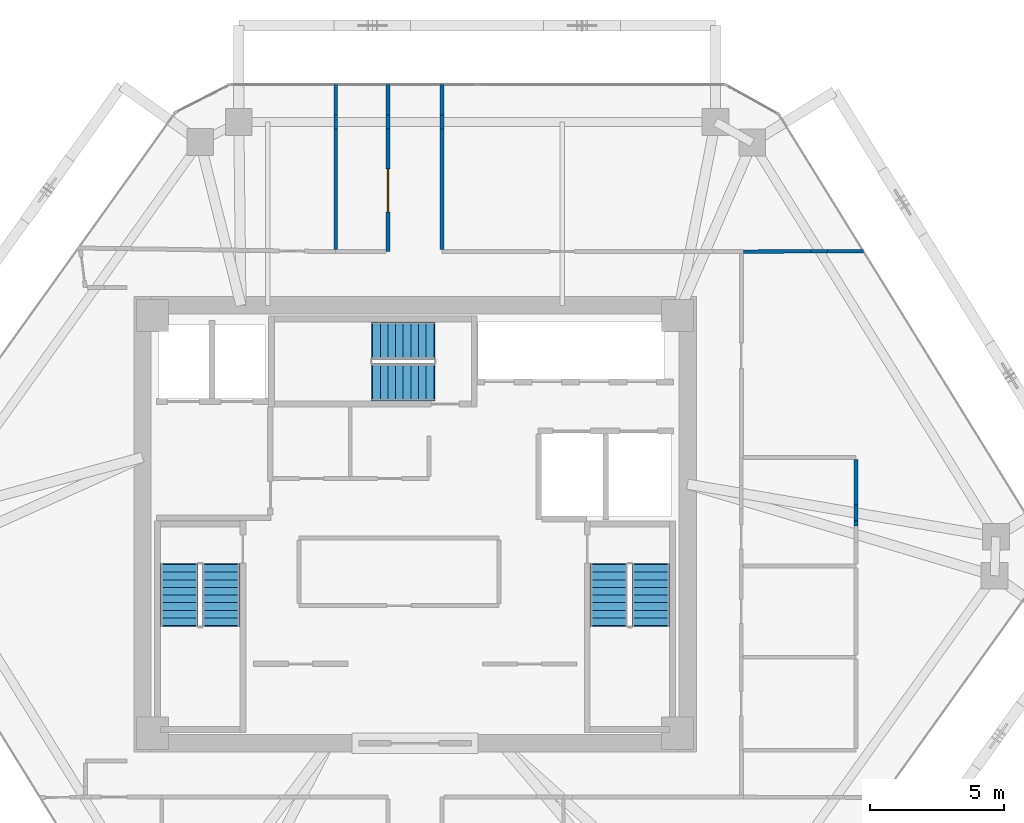
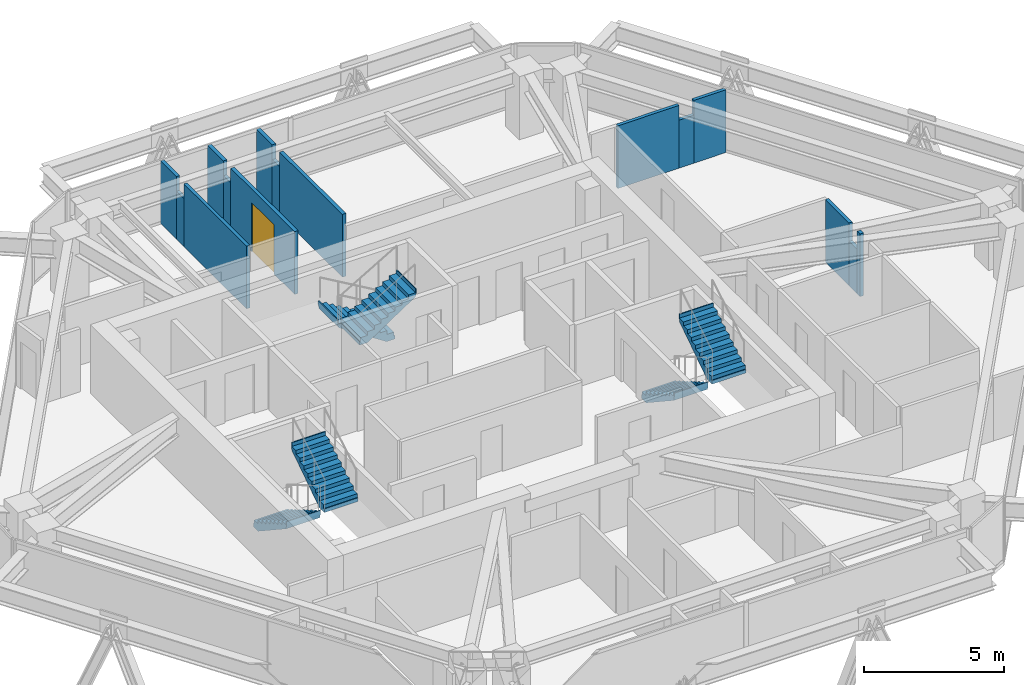
# One storey, part 13 of 14: 15 walls, 6 stair flights, 1 door, 1 opening, 3 elements without a shape of their own.
"""IFC4 building model written with IfcOpenShell, lengths in metres."""

import ifcopenshell
import ifcopenshell.guid

model = None  # the IFC model being written
_history = None  # IfcOwnerHistory: only IFC2X3 demands one
_inside = {}  # id of a spatial element -> (the spatial element, [elements in it])
_under = {}  # id of a project, library or spatial element -> (it, [spatial elements below it])
_declared = {}  # id of a project -> (the project, [libraries it declares])
_typed = {}  # id of a type object -> (the type object, [elements of that type])
_made_of = {}  # id of a material, layer set ... -> (it, [elements and type objects made of it])


def new_model(schema):
    """Start an empty IFC model of exactly this schema.

    Asked for "IFC4X3", IfcOpenShell would pick the latest addendum, in which some entities
    have other attributes; the version numbers below select the first issue.
    IFC2X3 requires an IfcOwnerHistory on every rooted entity: one is made here for all.
    """
    global model, _history
    if schema == "IFC4X3":
        model = ifcopenshell.file(schema_version=(4, 3, 0, 0))
    else:
        model = ifcopenshell.file(schema=schema)
    _inside.clear()
    _under.clear()
    _declared.clear()
    _typed.clear()
    _made_of.clear()
    _history = None
    if model.schema == "IFC2X3":
        org = make("IfcOrganization", Name="unknown")
        user = make(
            "IfcPersonAndOrganization",
            ThePerson=make("IfcPerson", FamilyName="unknown"),
            TheOrganization=org,
        )
        app = make(
            "IfcApplication",
            ApplicationDeveloper=org,
            Version="unknown",
            ApplicationFullName="unknown",
            ApplicationIdentifier="unknown",
        )
        _history = make(
            "IfcOwnerHistory",
            OwningUser=user,
            OwningApplication=app,
            ChangeAction="ADDED",
            CreationDate=0,
        )
    return model


def make(cls, **values):
    """One entity of the class cls with the attributes given. An attribute that is None is left unset."""
    return model.create_entity(
        cls, **{name: value for name, value in values.items() if value is not None}
    )


def rooted(cls, **values):
    """An entity with a GlobalId (a new one), such as an element, a storey or a relation."""
    return make(cls, GlobalId=ifcopenshell.guid.new(), OwnerHistory=_history, **values)


def si_unit(unit_type, name, prefix=None):
    """IfcSIUnit, for example si_unit("LENGTHUNIT", "METRE", prefix="MILLI")."""
    return make("IfcSIUnit", UnitType=unit_type, Prefix=prefix, Name=name)


def assignment(units):
    """IfcUnitAssignment: the units of a project."""
    return None if units is None else make("IfcUnitAssignment", Units=units)


def point(xyz):
    """IfcCartesianPoint."""
    return None if xyz is None else make("IfcCartesianPoint", Coordinates=xyz)


def direction(xyz):
    """IfcDirection."""
    return None if xyz is None else make("IfcDirection", DirectionRatios=xyz)


def frame(location, z_axis=None, x_axis=None):
    """IfcAxis2Placement3D, a coordinate frame: its origin and axes. An axis left out is left unset."""
    return make(
        "IfcAxis2Placement3D",
        Location=point(location),
        Axis=direction(z_axis),
        RefDirection=direction(x_axis),
    )


def frame_2d(location, x_axis=None):
    """IfcAxis2Placement2D, a coordinate frame in the plane: its origin and x axis."""
    return make(
        "IfcAxis2Placement2D", Location=point(location), RefDirection=direction(x_axis)
    )


def origin():
    """The frame at (0, 0, 0) with its axes left unset."""
    return frame((0.0, 0.0, 0.0))


def place(relative_to, where):
    """IfcLocalPlacement: puts the frame where relative to a parent placement (None: the world)."""
    return make(
        "IfcLocalPlacement", PlacementRelTo=relative_to, RelativePlacement=where
    )


def context(
    kind, dimensions, precision=None, world=None, true_north=None, identifier=None
):
    """IfcGeometricRepresentationContext, for example the 3D "Model" context."""
    return make(
        "IfcGeometricRepresentationContext",
        ContextIdentifier=identifier,
        ContextType=kind,
        CoordinateSpaceDimension=dimensions,
        Precision=precision,
        WorldCoordinateSystem=world,
        TrueNorth=true_north,
    )


def subcontext(parent, identifier, kind, view, scale=None):
    """IfcGeometricRepresentationSubContext, for example "Body" below "Model"."""
    return make(
        "IfcGeometricRepresentationSubContext",
        ContextIdentifier=identifier,
        ContextType=kind,
        ParentContext=parent,
        TargetScale=scale,
        TargetView=view,
    )


def project(units=None, contexts=None):
    """IfcProject with its units and contexts."""
    return rooted(
        "IfcProject",
        Name="project",
        RepresentationContexts=contexts,
        UnitsInContext=assignment(units),
    )


def spatial(cls, under=None, at=None, **own):
    """A site, building, storey or space (cls), placed at a placement, below another one or the project."""
    s = rooted(cls, ObjectPlacement=at, **own)
    if under is not None:
        _under.setdefault(under.id(), (under, []))[1].append(s)
    return s


def polyline(points):
    """IfcPolyline through the points."""
    return make("IfcPolyline", Points=[point(p) for p in points])


def profile(cls, at=None, kind="AREA", **sizes):
    """A parametric profile (cls). Its sizes go by their IFC names, for example OverallWidth=200.0."""
    return make(cls, ProfileType=kind, Position=at, **sizes)


def rectangle(**sizes):
    """IfcRectangleProfileDef."""
    return profile("IfcRectangleProfileDef", **sizes)


def outline(outer, holes=None, kind="AREA"):
    """IfcArbitraryClosedProfileDef: a profile drawn as a closed curve; with holes, ...WithVoids."""
    if holes is None:
        return make("IfcArbitraryClosedProfileDef", ProfileType=kind, OuterCurve=outer)
    return make(
        "IfcArbitraryProfileDefWithVoids",
        ProfileType=kind,
        OuterCurve=outer,
        InnerCurves=holes,
    )


def extrude(swept, where, along, depth):
    """IfcExtrudedAreaSolid: the profile swept, set in the frame where, extruded along a direction by depth."""
    return make(
        "IfcExtrudedAreaSolid",
        SweptArea=swept,
        Position=where,
        ExtrudedDirection=direction(along),
        Depth=depth,
    )


def shape(context_of_items, identifier, shape_type, items):
    """IfcShapeRepresentation: the items that make up one representation, for example the "Body"."""
    return make(
        "IfcShapeRepresentation",
        ContextOfItems=context_of_items,
        RepresentationIdentifier=identifier,
        RepresentationType=shape_type,
        Items=items,
    )


def source(mapping_origin, context_of_items, identifier, shape_type, items):
    """IfcRepresentationMap: a shape defined once, which mapped items show again and again."""
    return make(
        "IfcRepresentationMap",
        MappingOrigin=mapping_origin,
        MappedRepresentation=shape(context_of_items, identifier, shape_type, items),
    )


def transform(
    local_origin,
    x_axis=None,
    y_axis=None,
    z_axis=None,
    scale=None,
    scale2=None,
    scale3=None,
    uniform=True,
):
    """IfcCartesianTransformationOperator3D, or its non-uniform kind. x_axis, y_axis, z_axis: its Axis1, 2, 3."""
    if uniform:
        return make(
            "IfcCartesianTransformationOperator3D",
            Axis1=direction(x_axis),
            Axis2=direction(y_axis),
            LocalOrigin=point(local_origin),
            Scale=scale,
            Axis3=direction(z_axis),
        )
    return make(
        "IfcCartesianTransformationOperator3DnonUniform",
        Axis1=direction(x_axis),
        Axis2=direction(y_axis),
        LocalOrigin=point(local_origin),
        Scale=scale,
        Axis3=direction(z_axis),
        Scale2=scale2,
        Scale3=scale3,
    )


def mapped(mapping_source, mapping_target):
    """IfcMappedItem: shows the shape of a source again, moved by a transform."""
    return make(
        "IfcMappedItem", MappingSource=mapping_source, MappingTarget=mapping_target
    )


def material(Name=None, Category=None):
    """IfcMaterial."""
    return make("IfcMaterial", Name=Name, Category=Category)


def layer(
    of_material, thickness, ventilated=None, Name=None, Category=None, Priority=None
):
    """IfcMaterialLayer: one layer of a wall or slab, of a material (None: an air gap)."""
    return make(
        "IfcMaterialLayer",
        Material=of_material,
        LayerThickness=thickness,
        IsVentilated=ventilated,
        Name=Name,
        Category=Category,
        Priority=Priority,
    )


def layer_set(layers, Name=None):
    """IfcMaterialLayerSet."""
    return make("IfcMaterialLayerSet", MaterialLayers=layers, LayerSetName=Name)


def made_of(thing, what):
    """Note that an element or type object is made of a material, layer set ...; save() writes the relation."""
    if what is not None:
        _made_of.setdefault(what.id(), (what, []))[1].append(thing)
    return thing


def type_object(cls, material=None, **own):
    """A type object (cls), such as IfcWallType, which elements share."""
    return made_of(rooted(cls, **own), material)


def type_shapes(of_type, sources):
    """Give a type object the sources (RepresentationMaps) that its elements show as mapped items."""
    of_type.RepresentationMaps = sources


def element(
    cls,
    number,
    at=None,
    inside=None,
    cuts=None,
    type_object=None,
    material=None,
    context=None,
    identifier="Body",
    shape_type=None,
    held_by="IfcProductDefinitionShape",
    body=None,
    shapes=None,
    **own,
):
    """One element of the class cls, such as IfcWall. Its Tag is "e" and its number.

    at: its placement. inside: the storey or other place that contains it. cuts: it is an
    opening in that element (IfcRelVoidsElement). A single representation is given by context,
    identifier, shape_type and body (its items); several are given by shapes. held_by: the class
    of the entity that holds the representations. save() writes the other relations.
    """
    e = rooted(cls, Tag="e%d" % number, ObjectPlacement=at, **own)
    if body is not None:
        shapes = [shape(context, identifier, shape_type, body)]
    if shapes is not None:
        e.Representation = make(held_by, Representations=shapes)
    if inside is not None:
        _inside.setdefault(inside.id(), (inside, []))[1].append(e)
    if cuts is not None:
        rooted(
            "IfcRelVoidsElement", RelatingBuildingElement=cuts, RelatedOpeningElement=e
        )
    if type_object is not None:
        _typed.setdefault(type_object.id(), (type_object, []))[1].append(e)
    return made_of(e, material)


def fill(opening, filler):
    """IfcRelFillsElement: the door or window that sits in an opening."""
    return rooted(
        "IfcRelFillsElement",
        RelatingOpeningElement=opening,
        RelatedBuildingElement=filler,
    )


def aggregate(whole, parts):
    """IfcRelAggregates: a whole, such as a stair, and the parts it consists of."""
    return rooted("IfcRelAggregates", RelatingObject=whole, RelatedObjects=parts)


def save(model, path):
    """Write the relations noted so far, then the file.

    IfcRelAggregates (storeys below a building ...), IfcRelContainedInSpatialStructure (elements
    in a storey), IfcRelDefinesByType, IfcRelAssociatesMaterial and IfcRelDeclares: one each for
    every whole, place, type object, material and project.
    """
    for whole, parts in _under.values():
        aggregate(whole, parts)
    for where, things in _inside.values():
        rooted(
            "IfcRelContainedInSpatialStructure",
            RelatedElements=things,
            RelatingStructure=where,
        )
    for kind, things in _typed.values():
        rooted("IfcRelDefinesByType", RelatedObjects=things, RelatingType=kind)
    for what, things in _made_of.values():
        rooted("IfcRelAssociatesMaterial", RelatedObjects=things, RelatingMaterial=what)
    for by, libraries in _declared.values():
        rooted("IfcRelDeclares", RelatingContext=by, RelatedDefinitions=libraries)
    model.write(path)


model = new_model("IFC4")

# Units and contexts
model_context = context("Model", 3, precision=1e-05, world=origin(), true_north=direction((0.0, 1.0)))
body_context = subcontext(model_context, "Body", "Model", "MODEL_VIEW")
ifc_project = project(units=[si_unit("LENGTHUNIT", "METRE"), si_unit("AREAUNIT", "SQUARE_METRE"), si_unit("VOLUMEUNIT", "CUBIC_METRE"), si_unit("PLANEANGLEUNIT", "RADIAN"), si_unit("MASSUNIT", "GRAM", prefix="KILO")], contexts=[model_context])

# Site, building, storey
site_placement = place(None, origin())
site = spatial("IfcSite", under=ifc_project, at=site_placement, CompositionType="ELEMENT")
building_placement = place(site_placement, origin())
building = spatial("IfcBuilding", under=site, at=building_placement, Name="Durnholm Broadcast Tower", CompositionType="ELEMENT")
storey_placement = place(building_placement, frame((0.0, 0.0, 200.199951171875)))
storey = spatial("IfcBuildingStorey", under=building, at=storey_placement, Name="L55", CompositionType="ELEMENT", Elevation=200.199951171875)

# Walls
ifc_material_1 = material(Name="Gypsum Metal Stud Partition", Category="concrete")
ifc_layer_1 = layer(ifc_material_1, 0.135009765625)
ifc_layer_set_1 = layer_set([ifc_layer_1], Name="Gypsum Metal Stud Partition")
wall_type_1 = type_object("IfcWallType", Name="WALL-PART-135", PredefinedType="PARTITIONING", material=ifc_layer_set_1)
wall_1_placement = place(storey_placement, frame((-2.9599609375, 16.41796875, 0.0), z_axis=(0.0, 0.0, 1.0), x_axis=(0.0, -1.0, 0.0)))
element("IfcWall", 1, at=wall_1_placement, inside=storey, type_object=wall_type_1, Name="L55 room dividing partition 9.10", PredefinedType="PARTITIONING", context=body_context, shape_type="SweptSolid", body=[
    extrude(rectangle(XDim=1.137451171875, YDim=0.135009765625, at=frame_2d((0.56884765625, 0.0))), origin(), (0.0, 0.0, 1.0), 2.7451171875),
])
wall_2_placement = place(storey_placement, frame((-2.9599609375, 14.75537109375, 0.0), z_axis=(0.0, 0.0, 1.0), x_axis=(0.0, -1.0, 0.0)))
element("IfcWall", 2, at=wall_2_placement, inside=storey, type_object=wall_type_1, Name="L55 room dividing partition 9.10", PredefinedType="PARTITIONING", context=body_context, shape_type="SweptSolid", body=[
    extrude(rectangle(XDim=4.496337890625, YDim=0.135009765625, at=frame_2d((2.248046875, 0.0))), origin(), (0.0, 0.0, 1.0), 2.7451171875),
])
wall_3_placement = place(storey_placement, frame((-2.9599609375, 15.280517578125, 0.0), z_axis=(0.0, 0.0, 1.0), x_axis=(0.0, -1.0, 0.0)))
element("IfcWall", 3, at=wall_3_placement, inside=storey, type_object=wall_type_1, Name="L55 room dividing partition 9.10", PredefinedType="PARTITIONING", context=body_context, shape_type="SweptSolid", body=[
    extrude(rectangle(XDim=0.525146484375, YDim=0.135009765625, at=frame_2d((0.2626953125, 0.0))), origin(), (0.0, 0.0, 1.0), 2.098876953125),
])
wall_4_placement = place(storey_placement, frame((16.739990234375, 10.200927734375, 0.0), z_axis=(0.0, 0.0, 1.0), x_axis=(-0.999989521507, -0.004577868163, 0.0)))
element("IfcWall", 4, at=wall_4_placement, inside=storey, type_object=wall_type_1, Name="L55 room dividing partition 11.18", PredefinedType="PARTITIONING", context=body_context, shape_type="SweptSolid", body=[
    extrude(rectangle(XDim=1.333251953125, YDim=0.135009765625, at=frame_2d((0.66650390625, 0.0))), origin(), (0.0, 0.0, 1.0), 2.7451171875),
])
wall_5_placement = place(storey_placement, frame((14.791259765625, 10.19189453125, 0.0), z_axis=(0.0, 0.0, 1.0), x_axis=(-0.999989725302, -0.004533132435, 0.0)))
element("IfcWall", 5, at=wall_5_placement, inside=storey, type_object=wall_type_1, Name="L55 room dividing partition 11.18", PredefinedType="PARTITIONING", context=body_context, shape_type="SweptSolid", body=[
    extrude(rectangle(XDim=2.53125, YDim=0.135009765625, at=frame_2d((1.265625, 0.0))), origin(), (0.0, 0.0, 1.0), 2.7451171875),
])
wall_6_placement = place(storey_placement, frame((15.40673828125, 10.19482421875, 0.0), z_axis=(0.0, 0.0, 1.0), x_axis=(-0.999988671317, -0.004759961942, 0.0)))
element("IfcWall", 6, at=wall_6_placement, inside=storey, type_object=wall_type_1, Name="L55 room dividing partition 11.18", PredefinedType="PARTITIONING", context=body_context, shape_type="SweptSolid", body=[
    extrude(rectangle(XDim=0.615478515625, YDim=0.135009765625, at=frame_2d((0.3076171875, 0.0))), origin(), (0.0, 0.0, 1.0), 2.098876953125),
])
ifc_material_2 = material(Name="Acoustic Gypsum Stud Partition", Category="concrete")
ifc_layer_2 = layer(ifc_material_2, 0.14990234375)
ifc_layer_set_2 = layer_set([ifc_layer_2], Name="Acoustic Gypsum Stud Partition")
wall_type_2 = type_object("IfcWallType", Name="WALL-PART-150", PredefinedType="PARTITIONING", material=ifc_layer_set_2)
wall_7_placement = place(storey_placement, frame((-1.010009765625, 16.41796875, 0.0), z_axis=(0.0, 0.0, 1.0), x_axis=(0.0, -1.0, 0.0)))
element("IfcWall", 7, at=wall_7_placement, inside=storey, type_object=wall_type_2, Name="L55 Investor Briefing Auditorium corridor partition", PredefinedType="PARTITIONING", context=body_context, shape_type="SweptSolid", body=[
    extrude(rectangle(XDim=1.137451171875, YDim=0.14990234375, at=frame_2d((0.56884765625, 0.0))), origin(), (0.0, 0.0, 1.0), 2.7451171875),
])

# Wall, opening, door
wall_8_placement = place(storey_placement, frame((-1.010009765625, 14.75537109375, 0.0), z_axis=(0.0, 0.0, 1.0), x_axis=(0.0, -1.0, 0.0)))
wall_8 = element("IfcWall", 8, at=wall_8_placement, inside=storey, type_object=wall_type_2, Name="L55 Investor Briefing Auditorium corridor partition", PredefinedType="PARTITIONING", context=body_context, shape_type="SweptSolid", body=[
    extrude(rectangle(XDim=4.575439453125, YDim=0.14990234375, at=frame_2d((2.28759765625, 0.0))), origin(), (0.0, 0.0, 1.0), 2.7451171875),
])
opening_placement = place(wall_8_placement, frame((1.48779296875, 0.0, 0.0)))
opening = element("IfcOpeningElement", 9, at=opening_placement, cuts=wall_8, Name="Opening DST-160", PredefinedType="OPENING", context=body_context, shape_type="SweptSolid", body=[
    extrude(rectangle(XDim=1.60009765625, YDim=2.14990234375, at=frame_2d((0.800048828125, 1.074951171875))), frame((0.0, 0.0849609375, 0.0), z_axis=(0.0, -1.0, 0.0), x_axis=(1.0, 0.0, 0.0)), (0.0, 0.0, 1.0), 0.169921875),
])
ifc_material_3 = material(Name="Acoustic Broadcast Studio Sound-Lock Door", Category="steel")
ifc_layer_3 = layer(ifc_material_3, 0.050048828125)
ifc_layer_set_3 = layer_set([ifc_layer_3], Name="Acoustic Broadcast Studio Sound-Lock Door")
door_type = type_object("IfcDoorType", Name="DOOR-STU-1600", OperationType="DOUBLE_DOOR_SINGLE_SWING", PredefinedType="DOOR", material=ifc_layer_set_3)
shared_shape = source(origin(), body_context, "Body", "SweptSolid", [
    extrude(rectangle(XDim=1.60009765625, YDim=2.14990234375, at=frame_2d((0.800048828125, 1.074951171875))), frame((0.0, 0.02490234375, 0.0), z_axis=(0.0, -1.0, 0.0), x_axis=(1.0, 0.0, 0.0)), (0.0, 0.0, 1.0), 0.050048828125),
])
type_shapes(door_type, [shared_shape])
door_placement = place(opening_placement, origin())
door = element("IfcDoor", 10, at=door_placement, inside=storey, type_object=door_type, Name="L55 Investor Briefing Auditorium entrance door", OperationType="DOUBLE_DOOR_SINGLE_SWING", OverallHeight=2.14990234375, OverallWidth=1.60009765625, PredefinedType="DOOR", context=body_context, shape_type="MappedRepresentation", body=[
    mapped(shared_shape, transform((0.0, 0.0, 0.0), x_axis=(1.0, 0.0, 0.0), y_axis=(0.0, 1.0, 0.0), z_axis=(0.0, 0.0, 1.0), scale=1.0)),
])
fill(opening, door)

# Walls
wall_9_placement = place(storey_placement, frame((-1.010009765625, 15.280517578125, 0.0), z_axis=(0.0, 0.0, 1.0), x_axis=(0.0, -1.0, 0.0)))
element("IfcWall", 11, at=wall_9_placement, inside=storey, type_object=wall_type_2, Name="L55 Investor Briefing Auditorium corridor partition", PredefinedType="PARTITIONING", context=body_context, shape_type="SweptSolid", body=[
    extrude(rectangle(XDim=0.525146484375, YDim=0.14990234375, at=frame_2d((0.2626953125, 0.0))), origin(), (0.0, 0.0, 1.0), 2.098876953125),
])
wall_10_placement = place(storey_placement, frame((1.010009765625, 10.259033203125, 0.0), z_axis=(0.0, 0.0, 1.0), x_axis=(0.0, 1.0, 0.0)))
element("IfcWall", 12, at=wall_10_placement, inside=storey, type_object=wall_type_2, Name="L55 Treasury Dining Room corridor partition", PredefinedType="PARTITIONING", context=body_context, shape_type="SweptSolid", body=[
    extrude(rectangle(XDim=4.496337890625, YDim=0.14990234375, at=frame_2d((2.248046875, 0.0))), origin(), (0.0, 0.0, 1.0), 2.7451171875),
])
wall_11_placement = place(storey_placement, frame((1.010009765625, 15.280517578125, 0.0), z_axis=(0.0, 0.0, 1.0), x_axis=(0.0, 1.0, 0.0)))
element("IfcWall", 13, at=wall_11_placement, inside=storey, type_object=wall_type_2, Name="L55 Treasury Dining Room corridor partition", PredefinedType="PARTITIONING", context=body_context, shape_type="SweptSolid", body=[
    extrude(rectangle(XDim=1.137451171875, YDim=0.14990234375, at=frame_2d((0.56884765625, 0.0))), origin(), (0.0, 0.0, 1.0), 2.7451171875),
])
wall_12_placement = place(storey_placement, frame((1.010009765625, 14.75537109375, 0.0), z_axis=(0.0, 0.0, 1.0), x_axis=(0.0, 1.0, 0.0)))
element("IfcWall", 14, at=wall_12_placement, inside=storey, type_object=wall_type_2, Name="L55 Treasury Dining Room corridor partition", PredefinedType="PARTITIONING", context=body_context, shape_type="SweptSolid", body=[
    extrude(rectangle(XDim=0.525146484375, YDim=0.14990234375, at=frame_2d((0.2626953125, 0.0))), origin(), (0.0, 0.0, 1.0), 2.098876953125),
])
ifc_material_4 = material(Name="Moisture-Resistant Tile Partition", Category="concrete")
ifc_layer_4 = layer(ifc_material_4, 0.139892578125)
ifc_layer_set_4 = layer_set([ifc_layer_4], Name="Moisture-Resistant Tile Partition")
wall_type_3 = type_object("IfcWallType", Name="WALL-WC-140", PredefinedType="PARTITIONING", material=ifc_layer_set_4)
wall_13_placement = place(storey_placement, frame((16.4599609375, 2.416015625, 0.0), z_axis=(0.0, 0.0, 1.0), x_axis=(0.0, -1.0, 0.0)))
element("IfcWall", 15, at=wall_13_placement, inside=storey, type_object=wall_type_3, Name="L55 room dividing partition 8.18", PredefinedType="PARTITIONING", context=body_context, shape_type="SweptSolid", body=[
    extrude(rectangle(XDim=1.695556640625, YDim=0.139892578125, at=frame_2d((0.84765625, 0.0))), origin(), (0.0, 0.0, 1.0), 2.7451171875),
])
wall_14_placement = place(storey_placement, frame((16.4599609375, 0.13134765625, 0.0), z_axis=(0.0, 0.0, 1.0), x_axis=(0.0, -1.0, 0.0)))
element("IfcWall", 16, at=wall_14_placement, inside=storey, type_object=wall_type_3, Name="L55 room dividing partition 8.18", PredefinedType="PARTITIONING", context=body_context, shape_type="SweptSolid", body=[
    extrude(rectangle(XDim=0.203369140625, YDim=0.139892578125, at=frame_2d((0.1015625, 0.0))), origin(), (0.0, 0.0, 1.0), 2.7451171875),
])
wall_15_placement = place(storey_placement, frame((16.4599609375, 0.720458984375, 0.0), z_axis=(0.0, 0.0, 1.0), x_axis=(0.0, -1.0, 0.0)))
element("IfcWall", 17, at=wall_15_placement, inside=storey, type_object=wall_type_3, Name="L55 room dividing partition 8.18", PredefinedType="PARTITIONING", context=body_context, shape_type="SweptSolid", body=[
    extrude(rectangle(XDim=0.589111328125, YDim=0.139892578125, at=frame_2d((0.29443359375, 0.0))), origin(), (0.0, 0.0, 1.0), 1.94189453125),
])

# Stair, stair flights
ifc_material_5 = material(Name="Concrete C50/60", Category="concrete")
stair_type = type_object("IfcStairType", Name="STAIR-DL-18R1667", PredefinedType="HALF_TURN_STAIR", material=ifc_material_5)
stair_1_placement = place(storey_placement, origin())
stair_1 = element("IfcStair", 18, at=stair_1_placement, inside=storey, type_object=stair_type, Name="L55 ST-1", PredefinedType="HALF_TURN_STAIR")
stair_flight_type = type_object("IfcStairFlightType", Name="FLIGHT-DL-18R1667", PredefinedType="STRAIGHT", material=ifc_material_5)
stair_flight_1_placement = place(storey_placement, frame((-8.800048828125, -1.5, 0.0), z_axis=(0.0, 0.0, 1.0), x_axis=(0.0, -1.0, 0.0)))
stair_flight_1 = element("IfcStairFlight", 19, at=stair_flight_1_placement, type_object=stair_flight_type, Name="ST-1 flight 1", NumberOfRisers=9, NumberOfTreads=8, PredefinedType="STRAIGHT", RiserHeight=0.166666667, TreadLength=0.285, context=body_context, shape_type="SweptSolid", body=[
    extrude(outline(polyline([(-0.0400390625, -0.14990234375), (-0.0400390625, 0.0), (0.0, 0.0), (0.0, 0.166748046875), (0.284912109375, 0.166748046875), (0.284912109375, 0.333251953125), (0.570068359375, 0.333251953125), (0.570068359375, 0.5), (0.85498046875, 0.5), (0.85498046875, 0.666748046875), (1.139892578125, 0.666748046875), (1.139892578125, 0.833251953125), (1.425048828125, 0.833251953125), (1.425048828125, 1.0), (1.7099609375, 1.0), (1.7099609375, 1.166748046875), (1.9951171875, 1.166748046875), (1.9951171875, 1.333251953125), (2.280029296875, 1.333251953125), (2.280029296875, 1.5), (2.320068359375, 1.5), (2.320068359375, 1.35009765625), (2.280029296875, 1.15966796875), (0.296875, -0.14990234375), (-0.0400390625, -0.14990234375)])), frame((0.0, 0.699951171875, 0.0), z_axis=(0.0, -1.0, 0.0), x_axis=(1.0, 0.0, 0.0)), (0.0, 0.0, 1.0), 1.39990234375),
])
stair_flight_2_placement = place(storey_placement, frame((-7.239990234375, -3.780029296875, 1.5), z_axis=(0.0, 0.0, 1.0), x_axis=(0.0, 1.0, 0.0)))
stair_flight_2 = element("IfcStairFlight", 20, at=stair_flight_2_placement, type_object=stair_flight_type, Name="ST-1 flight 2", NumberOfRisers=9, NumberOfTreads=8, PredefinedType="STRAIGHT", RiserHeight=0.166666667, TreadLength=0.285, context=body_context, shape_type="SweptSolid", body=[
    extrude(outline(polyline([(-0.0400390625, -0.14990234375), (-0.0400390625, 0.0), (0.0, 0.0), (0.0, 0.166748046875), (0.284912109375, 0.166748046875), (0.284912109375, 0.333251953125), (0.570068359375, 0.333251953125), (0.570068359375, 0.5), (0.85498046875, 0.5), (0.85498046875, 0.666748046875), (1.139892578125, 0.666748046875), (1.139892578125, 0.833251953125), (1.425048828125, 0.833251953125), (1.425048828125, 1.0), (1.7099609375, 1.0), (1.7099609375, 1.166748046875), (1.9951171875, 1.166748046875), (1.9951171875, 1.333251953125), (2.280029296875, 1.333251953125), (2.280029296875, 1.5), (2.320068359375, 1.5), (2.320068359375, 1.35009765625), (2.280029296875, 1.15966796875), (0.296875, -0.14990234375), (-0.0400390625, -0.14990234375)])), frame((0.0, 0.699951171875, 0.0), z_axis=(0.0, -1.0, 0.0), x_axis=(1.0, 0.0, 0.0)), (0.0, 0.0, 1.0), 1.39990234375),
])
aggregate(stair_1, [stair_flight_1, stair_flight_2])

stair_2_placement = place(storey_placement, origin())
stair_2 = element("IfcStair", 21, at=stair_2_placement, inside=storey, type_object=stair_type, Name="L55 ST-2", PredefinedType="HALF_TURN_STAIR")
stair_flight_3_placement = place(storey_placement, frame((7.239990234375, -1.5, 0.0), z_axis=(0.0, 0.0, 1.0), x_axis=(0.0, -1.0, 0.0)))
stair_flight_3 = element("IfcStairFlight", 22, at=stair_flight_3_placement, type_object=stair_flight_type, Name="ST-2 flight 1", NumberOfRisers=9, NumberOfTreads=8, PredefinedType="STRAIGHT", RiserHeight=0.166666667, TreadLength=0.285, context=body_context, shape_type="SweptSolid", body=[
    extrude(outline(polyline([(-0.0400390625, -0.14990234375), (-0.0400390625, 0.0), (0.0, 0.0), (0.0, 0.166748046875), (0.284912109375, 0.166748046875), (0.284912109375, 0.333251953125), (0.570068359375, 0.333251953125), (0.570068359375, 0.5), (0.85498046875, 0.5), (0.85498046875, 0.666748046875), (1.139892578125, 0.666748046875), (1.139892578125, 0.833251953125), (1.425048828125, 0.833251953125), (1.425048828125, 1.0), (1.7099609375, 1.0), (1.7099609375, 1.166748046875), (1.9951171875, 1.166748046875), (1.9951171875, 1.333251953125), (2.280029296875, 1.333251953125), (2.280029296875, 1.5), (2.320068359375, 1.5), (2.320068359375, 1.35009765625), (2.280029296875, 1.15966796875), (0.296875, -0.14990234375), (-0.0400390625, -0.14990234375)])), frame((0.0, 0.699951171875, 0.0), z_axis=(0.0, -1.0, 0.0), x_axis=(1.0, 0.0, 0.0)), (0.0, 0.0, 1.0), 1.39990234375),
])
stair_flight_4_placement = place(storey_placement, frame((8.800048828125, -3.780029296875, 1.5), z_axis=(0.0, 0.0, 1.0), x_axis=(0.0, 1.0, 0.0)))
stair_flight_4 = element("IfcStairFlight", 23, at=stair_flight_4_placement, type_object=stair_flight_type, Name="ST-2 flight 2", NumberOfRisers=9, NumberOfTreads=8, PredefinedType="STRAIGHT", RiserHeight=0.166666667, TreadLength=0.285, context=body_context, shape_type="SweptSolid", body=[
    extrude(outline(polyline([(-0.0400390625, -0.14990234375), (-0.0400390625, 0.0), (0.0, 0.0), (0.0, 0.166748046875), (0.284912109375, 0.166748046875), (0.284912109375, 0.333251953125), (0.570068359375, 0.333251953125), (0.570068359375, 0.5), (0.85498046875, 0.5), (0.85498046875, 0.666748046875), (1.139892578125, 0.666748046875), (1.139892578125, 0.833251953125), (1.425048828125, 0.833251953125), (1.425048828125, 1.0), (1.7099609375, 1.0), (1.7099609375, 1.166748046875), (1.9951171875, 1.166748046875), (1.9951171875, 1.333251953125), (2.280029296875, 1.333251953125), (2.280029296875, 1.5), (2.320068359375, 1.5), (2.320068359375, 1.35009765625), (2.280029296875, 1.15966796875), (0.296875, -0.14990234375), (-0.0400390625, -0.14990234375)])), frame((0.0, 0.699951171875, 0.0), z_axis=(0.0, -1.0, 0.0), x_axis=(1.0, 0.0, 0.0)), (0.0, 0.0, 1.0), 1.39990234375),
])
aggregate(stair_2, [stair_flight_3, stair_flight_4])

stair_3_placement = place(storey_placement, origin())
stair_3 = element("IfcStair", 24, at=stair_3_placement, inside=storey, type_object=stair_type, Name="L55 ST-3", PredefinedType="HALF_TURN_STAIR")
stair_flight_5_placement = place(storey_placement, frame((0.699951171875, 6.860107421875, 0.0), z_axis=(0.0, 0.0, 1.0), x_axis=(-1.0, 0.0, 0.0)))
stair_flight_5 = element("IfcStairFlight", 25, at=stair_flight_5_placement, type_object=stair_flight_type, Name="ST-3 flight 1", NumberOfRisers=9, NumberOfTreads=8, PredefinedType="STRAIGHT", RiserHeight=0.166666667, TreadLength=0.285, context=body_context, shape_type="SweptSolid", body=[
    extrude(outline(polyline([(-0.0400390625, -0.14990234375), (-0.0400390625, 0.0), (0.0, 0.0), (0.0, 0.166748046875), (0.284912109375, 0.166748046875), (0.284912109375, 0.333251953125), (0.570068359375, 0.333251953125), (0.570068359375, 0.5), (0.85498046875, 0.5), (0.85498046875, 0.666748046875), (1.139892578125, 0.666748046875), (1.139892578125, 0.833251953125), (1.425048828125, 0.833251953125), (1.425048828125, 1.0), (1.7099609375, 1.0), (1.7099609375, 1.166748046875), (1.9951171875, 1.166748046875), (1.9951171875, 1.333251953125), (2.280029296875, 1.333251953125), (2.280029296875, 1.5), (2.320068359375, 1.5), (2.320068359375, 1.35009765625), (2.280029296875, 1.15966796875), (0.296875, -0.14990234375), (-0.0400390625, -0.14990234375)])), frame((0.0, 0.699951171875, 0.0), z_axis=(0.0, -1.0, 0.0), x_axis=(1.0, 0.0, 0.0)), (0.0, 0.0, 1.0), 1.39990234375),
])
stair_flight_6_placement = place(storey_placement, frame((-1.580078125, 5.300048828125, 1.5), z_axis=(0.0, 0.0, 1.0), x_axis=(1.0, 0.0, 0.0)))
stair_flight_6 = element("IfcStairFlight", 26, at=stair_flight_6_placement, type_object=stair_flight_type, Name="ST-3 flight 2", NumberOfRisers=9, NumberOfTreads=8, PredefinedType="STRAIGHT", RiserHeight=0.166666667, TreadLength=0.285, context=body_context, shape_type="SweptSolid", body=[
    extrude(outline(polyline([(-0.0400390625, -0.14990234375), (-0.0400390625, 0.0), (0.0, 0.0), (0.0, 0.166748046875), (0.284912109375, 0.166748046875), (0.284912109375, 0.333251953125), (0.570068359375, 0.333251953125), (0.570068359375, 0.5), (0.85498046875, 0.5), (0.85498046875, 0.666748046875), (1.139892578125, 0.666748046875), (1.139892578125, 0.833251953125), (1.425048828125, 0.833251953125), (1.425048828125, 1.0), (1.7099609375, 1.0), (1.7099609375, 1.166748046875), (1.9951171875, 1.166748046875), (1.9951171875, 1.333251953125), (2.280029296875, 1.333251953125), (2.280029296875, 1.5), (2.320068359375, 1.5), (2.320068359375, 1.35009765625), (2.280029296875, 1.15966796875), (0.296875, -0.14990234375), (-0.0400390625, -0.14990234375)])), frame((0.0, 0.699951171875, 0.0), z_axis=(0.0, -1.0, 0.0), x_axis=(1.0, 0.0, 0.0)), (0.0, 0.0, 1.0), 1.39990234375),
])
aggregate(stair_3, [stair_flight_5, stair_flight_6])

save(model, "model.ifc")
